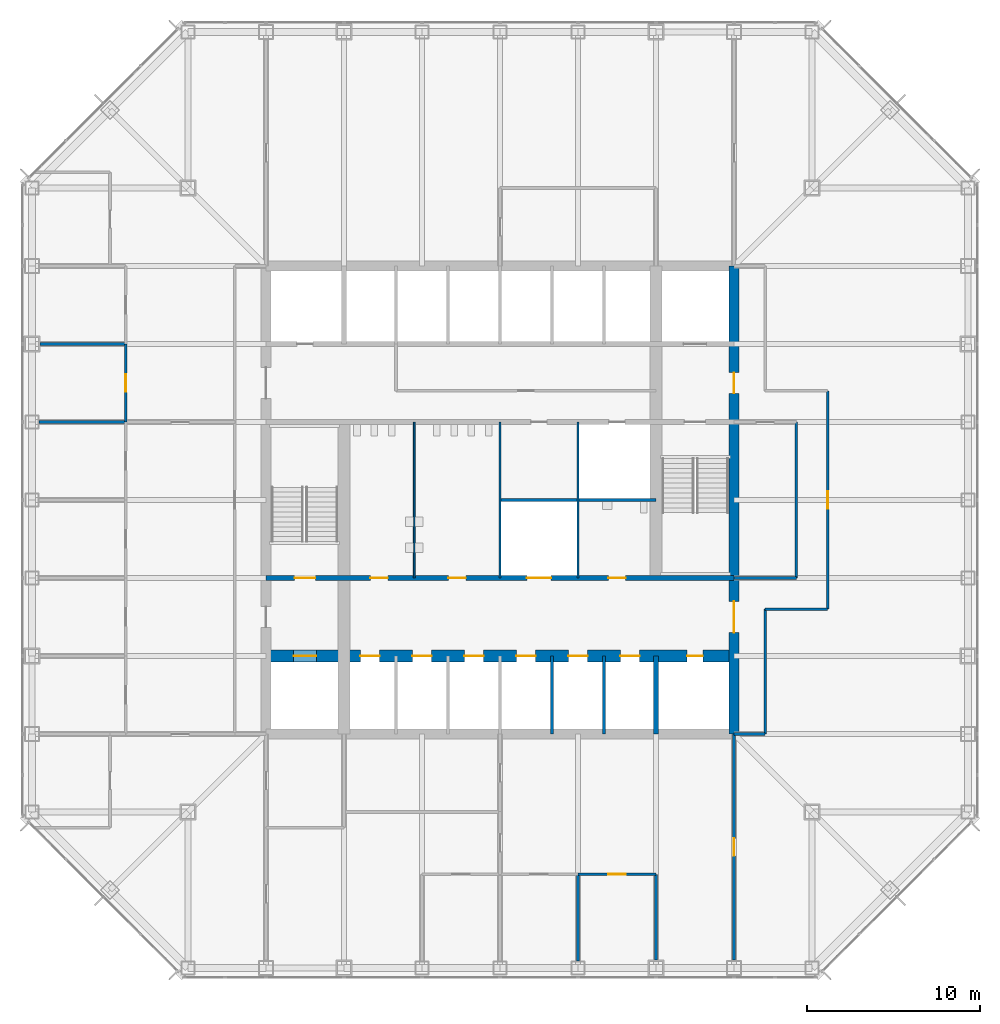
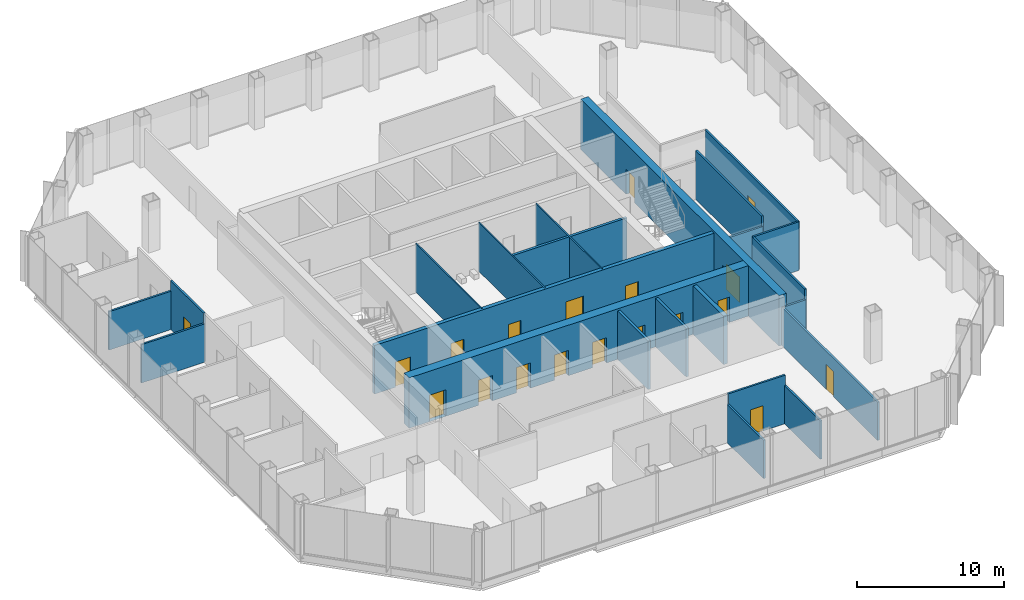
# One storey, part 9 of 12: 23 walls, 19 doors, 19 openings.
"""IFC4 building model written with IfcOpenShell, lengths in metres."""

from ifc_helpers import new_model, si_unit, direction, frame, frame_2d, origin, place, context, subcontext, project, spatial, rectangle, extrude, material, layer, layer_set, type_object, element, fill, save


model = new_model("IFC4")

# Units and contexts
model_context = context("Model", 3, precision=1e-05, world=origin(), true_north=direction((0.0, 1.0)))
body_context = subcontext(model_context, "Body", "Model", "MODEL_VIEW")
ifc_project = project(units=[si_unit("LENGTHUNIT", "METRE"), si_unit("AREAUNIT", "SQUARE_METRE"), si_unit("VOLUMEUNIT", "CUBIC_METRE"), si_unit("PLANEANGLEUNIT", "RADIAN"), si_unit("MASSUNIT", "GRAM", prefix="KILO")], contexts=[model_context])

# Site, building, storey
site_placement = place(None, origin())
site = spatial("IfcSite", under=ifc_project, at=site_placement, CompositionType="ELEMENT")
building_placement = place(site_placement, origin())
building = spatial("IfcBuilding", under=site, at=building_placement, Name="Corais Broadcast Tower", CompositionType="ELEMENT")
storey_placement = place(building_placement, frame((0.0, 0.0, 92.0)))
storey = spatial("IfcBuildingStorey", under=building, at=storey_placement, Name="L20", CompositionType="ELEMENT", Elevation=92.0)

# Wall
ifc_material_1 = material(Name="Concrete blockwork class A, grouted, two-hour", Category="masonry")
ifc_layer_1 = layer(ifc_material_1, 0.300048828125)
ifc_layer_set_1 = layer_set([ifc_layer_1], Name="Concrete blockwork class A, grouted, two-hour")
wall_type_1 = type_object("IfcWallType", Name="Core lobby wall 300", PredefinedType="SOLIDWALL", material=ifc_layer_set_1)
wall_1_placement = place(storey_placement, frame((36.0, 13.5, 0.0), z_axis=(0.0, 0.0, 1.0), x_axis=(0.0, 1.0, 0.0)))
element("IfcWall", 1, at=wall_1_placement, inside=storey, type_object=wall_type_1, Name="CL1 core shaft wall X36A L20", PredefinedType="SOLIDWALL", context=body_context, shape_type="SweptSolid", body=[
    extrude(rectangle(XDim=4.5, YDim=0.300048828125, at=frame_2d((2.25, 0.0))), origin(), (0.0, 0.0, 1.0), 4.0400390625),
])

# Wall, openings, doors
wall_2_placement = place(storey_placement, frame((13.5, 22.5, 0.0), z_axis=(0.0, 0.0, 1.0), x_axis=(1.0, 0.0, 0.0)))
wall_2 = element("IfcWall", 2, at=wall_2_placement, inside=storey, type_object=wall_type_1, Name="CL1 core lobby wall Y225 L20", PredefinedType="SOLIDWALL", context=body_context, shape_type="SweptSolid", body=[
    extrude(rectangle(XDim=27.0, YDim=0.300048828125, at=frame_2d((13.5, 0.0))), origin(), (0.0, 0.0, 1.0), 4.0400390625),
])
opening_1_placement = place(wall_2_placement, frame((1.64990234375, 0.0, 0.0)))
opening_1 = element("IfcOpeningElement", 3, at=opening_1_placement, cuts=wall_2, Name="Opening FD1", PredefinedType="OPENING", context=body_context, shape_type="SweptSolid", body=[
    extrude(rectangle(XDim=1.199951171875, YDim=2.10009765625, at=frame_2d((0.60009765625, 1.050048828125))), frame((0.0, 0.159912109375, 0.0), z_axis=(0.0, -1.0, 0.0), x_axis=(1.0, 0.0, 0.0)), (0.0, 0.0, 1.0), 0.320068359375),
])
opening_2_placement = place(wall_2_placement, frame((6.02490234375, 0.0, 0.0)))
opening_2 = element("IfcOpeningElement", 4, at=opening_2_placement, cuts=wall_2, Name="Opening WD1", PredefinedType="OPENING", context=body_context, shape_type="SweptSolid", body=[
    extrude(rectangle(XDim=1.0, YDim=2.10009765625, at=frame_2d((0.5, 1.050048828125))), frame((0.0, 0.159912109375, 0.0), z_axis=(0.0, -1.0, 0.0), x_axis=(1.0, 0.0, 0.0)), (0.0, 0.0, 1.0), 0.320068359375),
])
opening_3_placement = place(wall_2_placement, frame((10.52490234375, 0.0, 0.0)))
opening_3 = element("IfcOpeningElement", 5, at=opening_3_placement, cuts=wall_2, Name="Opening WD1", PredefinedType="OPENING", context=body_context, shape_type="SweptSolid", body=[
    extrude(rectangle(XDim=1.0, YDim=2.10009765625, at=frame_2d((0.5, 1.050048828125))), frame((0.0, 0.159912109375, 0.0), z_axis=(0.0, -1.0, 0.0), x_axis=(1.0, 0.0, 0.0)), (0.0, 0.0, 1.0), 0.320068359375),
])
opening_4_placement = place(wall_2_placement, frame((19.75, 0.0, 0.0)))
opening_4 = element("IfcOpeningElement", 6, at=opening_4_placement, cuts=wall_2, Name="Opening WD1", PredefinedType="OPENING", context=body_context, shape_type="SweptSolid", body=[
    extrude(rectangle(XDim=1.0, YDim=2.10009765625, at=frame_2d((0.5, 1.050048828125))), frame((0.0, 0.159912109375, 0.0), z_axis=(0.0, -1.0, 0.0), x_axis=(1.0, 0.0, 0.0)), (0.0, 0.0, 1.0), 0.320068359375),
])
opening_5_placement = place(wall_2_placement, frame((15.050048828125, 0.0, 0.0)))
opening_5 = element("IfcOpeningElement", 7, at=opening_5_placement, cuts=wall_2, Name="Opening LD3", PredefinedType="OPENING", context=body_context, shape_type="SweptSolid", body=[
    extrude(rectangle(XDim=1.39990234375, YDim=2.39990234375, at=frame_2d((0.699951171875, 1.199951171875))), frame((0.0, 0.159912109375, 0.0), z_axis=(0.0, -1.0, 0.0), x_axis=(1.0, 0.0, 0.0)), (0.0, 0.0, 1.0), 0.320068359375),
])
ifc_material_2 = material(Name="Steel fire door", Category="steel")
door_type_1 = type_object("IfcDoorType", Name="Fire door 1200x2100", OperationType="SINGLE_SWING_LEFT", PredefinedType="DOOR", material=ifc_material_2)
door_1_placement = place(opening_1_placement, origin())
door_1 = element("IfcDoor", 8, at=door_1_placement, inside=storey, type_object=door_type_1, Name="FD1 stair A door L20", OperationType="SINGLE_SWING_LEFT", OverallHeight=2.10009765625, OverallWidth=1.199951171875, PredefinedType="DOOR", context=body_context, shape_type="SweptSolid", body=[
    extrude(rectangle(XDim=1.199951171875, YDim=2.10009765625, at=frame_2d((0.60009765625, 1.050048828125))), frame((0.0, 0.02490234375, 0.0), z_axis=(0.0, -1.0, 0.0), x_axis=(1.0, 0.0, 0.0)), (0.0, 0.0, 1.0), 0.050048828125),
])
fill(opening_1, door_1)
ifc_material_3 = material(Name="Stainless steel lift door", Category="steel")
door_type_2 = type_object("IfcDoorType", Name="Service lift landing door 1400x2400", OperationType="SLIDING_TO_LEFT", PredefinedType="DOOR", material=ifc_material_3)
door_2_placement = place(opening_5_placement, origin())
door_2 = element("IfcDoor", 9, at=door_2_placement, inside=storey, type_object=door_type_2, Name="LD3 SL1 landing door L20", OperationType="SLIDING_TO_LEFT", OverallHeight=2.39990234375, OverallWidth=1.39990234375, PredefinedType="DOOR", context=body_context, shape_type="SweptSolid", body=[
    extrude(rectangle(XDim=1.39990234375, YDim=2.39990234375, at=frame_2d((0.699951171875, 1.199951171875))), frame((0.0, 0.02490234375, 0.0), z_axis=(0.0, -1.0, 0.0), x_axis=(1.0, 0.0, 0.0)), (0.0, 0.0, 1.0), 0.050048828125),
])
fill(opening_5, door_2)
ifc_material_4 = material(Name="Timber door", Category="wood")
door_type_3 = type_object("IfcDoorType", Name="Toilet door 1000x2100", OperationType="SINGLE_SWING_LEFT", PredefinedType="DOOR", material=ifc_material_4)
door_3_placement = place(opening_2_placement, origin())
door_3 = element("IfcDoor", 10, at=door_3_placement, inside=storey, type_object=door_type_3, Name="WD1 WC male door L20", OperationType="SINGLE_SWING_LEFT", OverallHeight=2.10009765625, OverallWidth=1.0, PredefinedType="DOOR", context=body_context, shape_type="SweptSolid", body=[
    extrude(rectangle(XDim=1.0, YDim=2.10009765625, at=frame_2d((0.5, 1.050048828125))), frame((0.0, 0.02490234375, 0.0), z_axis=(0.0, -1.0, 0.0), x_axis=(1.0, 0.0, 0.0)), (0.0, 0.0, 1.0), 0.050048828125),
])
fill(opening_2, door_3)
door_4_placement = place(opening_3_placement, origin())
door_4 = element("IfcDoor", 11, at=door_4_placement, inside=storey, type_object=door_type_3, Name="WD1 WC female door L20", OperationType="SINGLE_SWING_LEFT", OverallHeight=2.10009765625, OverallWidth=1.0, PredefinedType="DOOR", context=body_context, shape_type="SweptSolid", body=[
    extrude(rectangle(XDim=1.0, YDim=2.10009765625, at=frame_2d((0.5, 1.050048828125))), frame((0.0, 0.02490234375, 0.0), z_axis=(0.0, -1.0, 0.0), x_axis=(1.0, 0.0, 0.0)), (0.0, 0.0, 1.0), 0.050048828125),
])
fill(opening_3, door_4)
door_5_placement = place(opening_4_placement, origin())
door_5 = element("IfcDoor", 12, at=door_5_placement, inside=storey, type_object=door_type_3, Name="WD1 accessible WC door L20", OperationType="SINGLE_SWING_RIGHT", OverallHeight=2.10009765625, OverallWidth=1.0, PredefinedType="DOOR", context=body_context, shape_type="SweptSolid", body=[
    extrude(rectangle(XDim=1.0, YDim=2.10009765625, at=frame_2d((0.5, 1.050048828125))), frame((0.0, 0.02490234375, 0.0), z_axis=(0.0, -1.0, 0.0), x_axis=(1.0, 0.0, 0.0)), (0.0, 0.0, 1.0), 0.050048828125),
])
fill(opening_4, door_5)

ifc_material_5 = material(Name="Concrete C50/60", Category="concrete")
ifc_layer_2 = layer(ifc_material_5, 0.699951171875)
ifc_layer_set_2 = layer_set([ifc_layer_2], Name="Concrete C50/60")
wall_type_2 = type_object("IfcWallType", Name="Core spine wall 700", PredefinedType="SHEAR", material=ifc_layer_set_2)
wall_3_placement = place(storey_placement, frame((13.5, 18.0, 0.0), z_axis=(0.0, 0.0, 1.0), x_axis=(1.0, 0.0, 0.0)))
wall_3 = element("IfcWall", 13, at=wall_3_placement, inside=storey, type_object=wall_type_2, Name="CR700 core wall Y18 L20", PredefinedType="SHEAR", context=body_context, shape_type="SweptSolid", body=[
    extrude(rectangle(XDim=27.0, YDim=0.699951171875, at=frame_2d((13.5, 0.0))), origin(), (0.0, 0.0, 1.0), 4.199951171875),
])
opening_6_placement = place(wall_3_placement, frame((24.300048828125, 0.0, 0.0)))
opening_6 = element("IfcOpeningElement", 14, at=opening_6_placement, cuts=wall_3, Name="Opening RD1", PredefinedType="OPENING", context=body_context, shape_type="SweptSolid", body=[
    extrude(rectangle(XDim=0.89990234375, YDim=2.10009765625, at=frame_2d((0.449951171875, 1.050048828125))), frame((0.0, 0.35986328125, 0.0), z_axis=(0.0, -1.0, 0.0), x_axis=(1.0, 0.0, 0.0)), (0.0, 0.0, 1.0), 0.719970703125),
])
opening_7_placement = place(wall_3_placement, frame((5.449951171875, 0.0, 0.0)))
opening_7 = element("IfcOpeningElement", 15, at=opening_7_placement, cuts=wall_3, Name="Opening LD1", PredefinedType="OPENING", context=body_context, shape_type="SweptSolid", body=[
    extrude(rectangle(XDim=1.10009765625, YDim=2.10009765625, at=frame_2d((0.550048828125, 1.050048828125))), frame((0.0, 0.35986328125, 0.0), z_axis=(0.0, -1.0, 0.0), x_axis=(1.0, 0.0, 0.0)), (0.0, 0.0, 1.0), 0.719970703125),
])
opening_8_placement = place(wall_3_placement, frame((8.449951171875, 0.0, 0.0)))
opening_8 = element("IfcOpeningElement", 16, at=opening_8_placement, cuts=wall_3, Name="Opening LD1", PredefinedType="OPENING", context=body_context, shape_type="SweptSolid", body=[
    extrude(rectangle(XDim=1.10009765625, YDim=2.10009765625, at=frame_2d((0.550048828125, 1.050048828125))), frame((0.0, 0.35986328125, 0.0), z_axis=(0.0, -1.0, 0.0), x_axis=(1.0, 0.0, 0.0)), (0.0, 0.0, 1.0), 0.719970703125),
])
opening_9_placement = place(wall_3_placement, frame((11.449951171875, 0.0, 0.0)))
opening_9 = element("IfcOpeningElement", 17, at=opening_9_placement, cuts=wall_3, Name="Opening LD1", PredefinedType="OPENING", context=body_context, shape_type="SweptSolid", body=[
    extrude(rectangle(XDim=1.10009765625, YDim=2.10009765625, at=frame_2d((0.550048828125, 1.050048828125))), frame((0.0, 0.35986328125, 0.0), z_axis=(0.0, -1.0, 0.0), x_axis=(1.0, 0.0, 0.0)), (0.0, 0.0, 1.0), 0.719970703125),
])
opening_10_placement = place(wall_3_placement, frame((14.449951171875, 0.0, 0.0)))
opening_10 = element("IfcOpeningElement", 18, at=opening_10_placement, cuts=wall_3, Name="Opening LD1", PredefinedType="OPENING", context=body_context, shape_type="SweptSolid", body=[
    extrude(rectangle(XDim=1.10009765625, YDim=2.10009765625, at=frame_2d((0.550048828125, 1.050048828125))), frame((0.0, 0.35986328125, 0.0), z_axis=(0.0, -1.0, 0.0), x_axis=(1.0, 0.0, 0.0)), (0.0, 0.0, 1.0), 0.719970703125),
])
opening_11_placement = place(wall_3_placement, frame((17.449951171875, 0.0, 0.0)))
opening_11 = element("IfcOpeningElement", 19, at=opening_11_placement, cuts=wall_3, Name="Opening LD1", PredefinedType="OPENING", context=body_context, shape_type="SweptSolid", body=[
    extrude(rectangle(XDim=1.10009765625, YDim=2.10009765625, at=frame_2d((0.550048828125, 1.050048828125))), frame((0.0, 0.35986328125, 0.0), z_axis=(0.0, -1.0, 0.0), x_axis=(1.0, 0.0, 0.0)), (0.0, 0.0, 1.0), 0.719970703125),
])
opening_12_placement = place(wall_3_placement, frame((20.449951171875, 0.0, 0.0)))
opening_12 = element("IfcOpeningElement", 20, at=opening_12_placement, cuts=wall_3, Name="Opening LD1", PredefinedType="OPENING", context=body_context, shape_type="SweptSolid", body=[
    extrude(rectangle(XDim=1.10009765625, YDim=2.10009765625, at=frame_2d((0.550048828125, 1.050048828125))), frame((0.0, 0.35986328125, 0.0), z_axis=(0.0, -1.0, 0.0), x_axis=(1.0, 0.0, 0.0)), (0.0, 0.0, 1.0), 0.719970703125),
])
opening_13_placement = place(wall_3_placement, frame((1.60009765625, 0.0, 0.0)))
opening_13 = element("IfcOpeningElement", 21, at=opening_13_placement, cuts=wall_3, Name="Opening LD2", PredefinedType="OPENING", context=body_context, shape_type="SweptSolid", body=[
    extrude(rectangle(XDim=1.300048828125, YDim=2.199951171875, at=frame_2d((0.64990234375, 1.10009765625))), frame((0.0, 0.35986328125, 0.0), z_axis=(0.0, -1.0, 0.0), x_axis=(1.0, 0.0, 0.0)), (0.0, 0.0, 1.0), 0.719970703125),
])
ifc_material_6 = material(Name="Stainless steel lift door", Category="steel")
door_type_4 = type_object("IfcDoorType", Name="Lift landing door 1100x2100", OperationType="SLIDING_TO_LEFT", PredefinedType="DOOR", material=ifc_material_6)
door_6_placement = place(opening_7_placement, origin())
door_6 = element("IfcDoor", 22, at=door_6_placement, inside=storey, type_object=door_type_4, Name="LD1 PL1 landing door L20", OperationType="SLIDING_TO_LEFT", OverallHeight=2.10009765625, OverallWidth=1.10009765625, PredefinedType="DOOR", context=body_context, shape_type="SweptSolid", body=[
    extrude(rectangle(XDim=1.10009765625, YDim=2.10009765625, at=frame_2d((0.550048828125, 1.050048828125))), frame((0.0, 0.02490234375, 0.0), z_axis=(0.0, -1.0, 0.0), x_axis=(1.0, 0.0, 0.0)), (0.0, 0.0, 1.0), 0.050048828125),
])
fill(opening_7, door_6)
door_7_placement = place(opening_8_placement, origin())
door_7 = element("IfcDoor", 23, at=door_7_placement, inside=storey, type_object=door_type_4, Name="LD1 PL2 landing door L20", OperationType="SLIDING_TO_LEFT", OverallHeight=2.10009765625, OverallWidth=1.10009765625, PredefinedType="DOOR", context=body_context, shape_type="SweptSolid", body=[
    extrude(rectangle(XDim=1.10009765625, YDim=2.10009765625, at=frame_2d((0.550048828125, 1.050048828125))), frame((0.0, 0.02490234375, 0.0), z_axis=(0.0, -1.0, 0.0), x_axis=(1.0, 0.0, 0.0)), (0.0, 0.0, 1.0), 0.050048828125),
])
fill(opening_8, door_7)
door_8_placement = place(opening_9_placement, origin())
door_8 = element("IfcDoor", 24, at=door_8_placement, inside=storey, type_object=door_type_4, Name="LD1 PL3 landing door L20", OperationType="SLIDING_TO_LEFT", OverallHeight=2.10009765625, OverallWidth=1.10009765625, PredefinedType="DOOR", context=body_context, shape_type="SweptSolid", body=[
    extrude(rectangle(XDim=1.10009765625, YDim=2.10009765625, at=frame_2d((0.550048828125, 1.050048828125))), frame((0.0, 0.02490234375, 0.0), z_axis=(0.0, -1.0, 0.0), x_axis=(1.0, 0.0, 0.0)), (0.0, 0.0, 1.0), 0.050048828125),
])
fill(opening_9, door_8)
door_9_placement = place(opening_10_placement, origin())
door_9 = element("IfcDoor", 25, at=door_9_placement, inside=storey, type_object=door_type_4, Name="LD1 PL4 landing door L20", OperationType="SLIDING_TO_LEFT", OverallHeight=2.10009765625, OverallWidth=1.10009765625, PredefinedType="DOOR", context=body_context, shape_type="SweptSolid", body=[
    extrude(rectangle(XDim=1.10009765625, YDim=2.10009765625, at=frame_2d((0.550048828125, 1.050048828125))), frame((0.0, 0.02490234375, 0.0), z_axis=(0.0, -1.0, 0.0), x_axis=(1.0, 0.0, 0.0)), (0.0, 0.0, 1.0), 0.050048828125),
])
fill(opening_10, door_9)
door_10_placement = place(opening_11_placement, origin())
door_10 = element("IfcDoor", 26, at=door_10_placement, inside=storey, type_object=door_type_4, Name="LD1 PL5 landing door L20", OperationType="SLIDING_TO_LEFT", OverallHeight=2.10009765625, OverallWidth=1.10009765625, PredefinedType="DOOR", context=body_context, shape_type="SweptSolid", body=[
    extrude(rectangle(XDim=1.10009765625, YDim=2.10009765625, at=frame_2d((0.550048828125, 1.050048828125))), frame((0.0, 0.02490234375, 0.0), z_axis=(0.0, -1.0, 0.0), x_axis=(1.0, 0.0, 0.0)), (0.0, 0.0, 1.0), 0.050048828125),
])
fill(opening_11, door_10)
door_11_placement = place(opening_12_placement, origin())
door_11 = element("IfcDoor", 27, at=door_11_placement, inside=storey, type_object=door_type_4, Name="LD1 PL6 landing door L20", OperationType="SLIDING_TO_LEFT", OverallHeight=2.10009765625, OverallWidth=1.10009765625, PredefinedType="DOOR", context=body_context, shape_type="SweptSolid", body=[
    extrude(rectangle(XDim=1.10009765625, YDim=2.10009765625, at=frame_2d((0.550048828125, 1.050048828125))), frame((0.0, 0.02490234375, 0.0), z_axis=(0.0, -1.0, 0.0), x_axis=(1.0, 0.0, 0.0)), (0.0, 0.0, 1.0), 0.050048828125),
])
fill(opening_12, door_11)
ifc_material_7 = material(Name="Stainless steel lift door", Category="steel")
door_type_5 = type_object("IfcDoorType", Name="Lift landing door 1300x2200", OperationType="SLIDING_TO_LEFT", PredefinedType="DOOR", material=ifc_material_7)
door_12_placement = place(opening_13_placement, origin())
door_12 = element("IfcDoor", 28, at=door_12_placement, inside=storey, type_object=door_type_5, Name="LD2 FL1 landing door L20", OperationType="SLIDING_TO_LEFT", OverallHeight=2.199951171875, OverallWidth=1.300048828125, PredefinedType="DOOR", context=body_context, shape_type="SweptSolid", body=[
    extrude(rectangle(XDim=1.300048828125, YDim=2.199951171875, at=frame_2d((0.64990234375, 1.10009765625))), frame((0.0, 0.02490234375, 0.0), z_axis=(0.0, -1.0, 0.0), x_axis=(1.0, 0.0, 0.0)), (0.0, 0.0, 1.0), 0.050048828125),
])
fill(opening_13, door_12)
ifc_material_8 = material(Name="Steel fire door", Category="steel")
door_type_6 = type_object("IfcDoorType", Name="Riser door 900x2100", OperationType="SINGLE_SWING_LEFT", PredefinedType="DOOR", material=ifc_material_8)
door_13_placement = place(opening_6_placement, origin())
door_13 = element("IfcDoor", 29, at=door_13_placement, inside=storey, type_object=door_type_6, Name="RD1 riser door L20", OperationType="SINGLE_SWING_RIGHT", OverallHeight=2.10009765625, OverallWidth=0.89990234375, PredefinedType="DOOR", context=body_context, shape_type="SweptSolid", body=[
    extrude(rectangle(XDim=0.89990234375, YDim=2.10009765625, at=frame_2d((0.449951171875, 1.050048828125))), frame((0.0, 0.02490234375, 0.0), z_axis=(0.0, -1.0, 0.0), x_axis=(1.0, 0.0, 0.0)), (0.0, 0.0, 1.0), 0.050048828125),
])
fill(opening_6, door_13)

ifc_material_9 = material(Name="Concrete C50/60", Category="concrete")
ifc_layer_3 = layer(ifc_material_9, 0.60009765625)
ifc_layer_set_3 = layer_set([ifc_layer_3], Name="Concrete C50/60")
wall_type_3 = type_object("IfcWallType", Name="Core wall 600", PredefinedType="SHEAR", material=ifc_layer_set_3)
wall_4_placement = place(storey_placement, frame((40.5, 13.5, 0.0), z_axis=(0.0, 0.0, 1.0), x_axis=(0.0, 1.0, 0.0)))
wall_4 = element("IfcWall", 30, at=wall_4_placement, inside=storey, type_object=wall_type_3, Name="CR600 core wall E L20", PredefinedType="SHEAR", context=body_context, shape_type="SweptSolid", body=[
    extrude(rectangle(XDim=27.0, YDim=0.60009765625, at=frame_2d((13.5, 0.0))), origin(), (0.0, 0.0, 1.0), 4.199951171875),
])
opening_14_placement = place(wall_4_placement, frame((5.85009765625, 0.0, 0.0)))
opening_14 = element("IfcOpeningElement", 31, at=opening_14_placement, cuts=wall_4, Name="Opening FD2", PredefinedType="OPENING", context=body_context, shape_type="SweptSolid", body=[
    extrude(rectangle(XDim=1.800048828125, YDim=2.10009765625, at=frame_2d((0.89990234375, 1.050048828125))), frame((0.0, 0.31005859375, 0.0), z_axis=(0.0, -1.0, 0.0), x_axis=(1.0, 0.0, 0.0)), (0.0, 0.0, 1.0), 0.6201171875),
])
opening_15_placement = place(wall_4_placement, frame((19.64990234375, 0.0, 0.0)))
opening_15 = element("IfcOpeningElement", 32, at=opening_15_placement, cuts=wall_4, Name="Opening FD1", PredefinedType="OPENING", context=body_context, shape_type="SweptSolid", body=[
    extrude(rectangle(XDim=1.199951171875, YDim=2.10009765625, at=frame_2d((0.60009765625, 1.050048828125))), frame((0.0, 0.31005859375, 0.0), z_axis=(0.0, -1.0, 0.0), x_axis=(1.0, 0.0, 0.0)), (0.0, 0.0, 1.0), 0.6201171875),
])
door_14_placement = place(opening_15_placement, origin())
door_14 = element("IfcDoor", 33, at=door_14_placement, inside=storey, type_object=door_type_1, Name="FD1 fire lobby B door L20", OperationType="SINGLE_SWING_RIGHT", OverallHeight=2.10009765625, OverallWidth=1.199951171875, PredefinedType="DOOR", context=body_context, shape_type="SweptSolid", body=[
    extrude(rectangle(XDim=1.199951171875, YDim=2.10009765625, at=frame_2d((0.60009765625, 1.050048828125))), frame((0.0, 0.02490234375, 0.0), z_axis=(0.0, -1.0, 0.0), x_axis=(1.0, 0.0, 0.0)), (0.0, 0.0, 1.0), 0.050048828125),
])
fill(opening_15, door_14)
ifc_material_10 = material(Name="Steel fire door", Category="steel")
door_type_7 = type_object("IfcDoorType", Name="Fire door pair 1800x2100", OperationType="DOUBLE_DOOR_SINGLE_SWING", PredefinedType="DOOR", material=ifc_material_10)
door_15_placement = place(opening_14_placement, origin())
door_15 = element("IfcDoor", 34, at=door_15_placement, inside=storey, type_object=door_type_7, Name="FD2 lift lobby door L20", OperationType="SINGLE_SWING_LEFT", OverallHeight=2.10009765625, OverallWidth=1.800048828125, PredefinedType="DOOR", context=body_context, shape_type="SweptSolid", body=[
    extrude(rectangle(XDim=1.800048828125, YDim=2.10009765625, at=frame_2d((0.89990234375, 1.050048828125))), frame((0.0, 0.02490234375, 0.0), z_axis=(0.0, -1.0, 0.0), x_axis=(1.0, 0.0, 0.0)), (0.0, 0.0, 1.0), 0.050048828125),
])
fill(opening_14, door_15)

# Wall, opening, door
ifc_material_11 = material(Name="Gypsum board on steel studs", Category="steel")
ifc_layer_4 = layer(ifc_material_11, 0.14990234375)
ifc_layer_set_4 = layer_set([ifc_layer_4], Name="Gypsum board on steel studs")
wall_type_4 = type_object("IfcWallType", Name="Partition 150", PredefinedType="PARTITIONING", material=ifc_layer_set_4)
wall_5_placement = place(storey_placement, frame((45.89990234375, 20.699951171875, 0.0), z_axis=(0.0, 0.0, 1.0), x_axis=(0.0, 1.0, 0.0)))
wall_5 = element("IfcWall", 35, at=wall_5_placement, inside=storey, type_object=wall_type_4, Name="IW3 corridor wall L20", PredefinedType="PARTITIONING", context=body_context, shape_type="SweptSolid", body=[
    extrude(rectangle(XDim=12.60009765625, YDim=0.14990234375, at=frame_2d((6.300048828125, 0.0))), origin(), (0.0, 0.0, 1.0), 4.0400390625),
])
opening_16_placement = place(wall_5_placement, frame((5.800048828125, 0.0, 0.0)))
opening_16 = element("IfcOpeningElement", 36, at=opening_16_placement, cuts=wall_5, Name="Opening D1", PredefinedType="OPENING", context=body_context, shape_type="SweptSolid", body=[
    extrude(rectangle(XDim=1.0, YDim=2.10009765625, at=frame_2d((0.5, 1.050048828125))), frame((0.0, 0.0849609375, 0.0), z_axis=(0.0, -1.0, 0.0), x_axis=(1.0, 0.0, 0.0)), (0.0, 0.0, 1.0), 0.169921875),
])
ifc_material_12 = material(Name="Timber door", Category="wood")
door_type_8 = type_object("IfcDoorType", Name="Single door 1000x2100", OperationType="SINGLE_SWING_LEFT", PredefinedType="DOOR", material=ifc_material_12)
door_16_placement = place(opening_16_placement, origin())
door_16 = element("IfcDoor", 37, at=door_16_placement, inside=storey, type_object=door_type_8, Name="D1 workplace door L20", OperationType="SINGLE_SWING_LEFT", OverallHeight=2.10009765625, OverallWidth=1.0, PredefinedType="DOOR", context=body_context, shape_type="SweptSolid", body=[
    extrude(rectangle(XDim=1.0, YDim=2.10009765625, at=frame_2d((0.5, 1.050048828125))), frame((0.0, 0.02490234375, 0.0), z_axis=(0.0, -1.0, 0.0), x_axis=(1.0, 0.0, 0.0)), (0.0, 0.0, 1.0), 0.050048828125),
])
fill(opening_16, door_16)

# Walls
wall_6_placement = place(storey_placement, frame((42.300048828125, 13.5, 0.0), z_axis=(0.0, 0.0, 1.0), x_axis=(0.0, 1.0, 0.0)))
element("IfcWall", 38, at=wall_6_placement, inside=storey, type_object=wall_type_4, Name="IW3 corridor wall L20", PredefinedType="PARTITIONING", context=body_context, shape_type="SweptSolid", body=[
    extrude(rectangle(XDim=7.199951171875, YDim=0.14990234375, at=frame_2d((3.60009765625, 0.0))), origin(), (0.0, 0.0, 1.0), 4.0400390625),
])
wall_7_placement = place(storey_placement, frame((42.300048828125, 20.699951171875, 0.0), z_axis=(0.0, 0.0, 1.0), x_axis=(1.0, 0.0, 0.0)))
element("IfcWall", 39, at=wall_7_placement, inside=storey, type_object=wall_type_4, Name="IW3 corridor wall L20", PredefinedType="PARTITIONING", context=body_context, shape_type="SweptSolid", body=[
    extrude(rectangle(XDim=3.599853515625, YDim=0.14990234375, at=frame_2d((1.7998046875, 0.0))), origin(), (0.0, 0.0, 1.0), 4.0400390625),
])
wall_8_placement = place(storey_placement, frame((40.489990234375, 13.5, 0.0), z_axis=(0.0, 0.0, 1.0), x_axis=(1.0, 0.0, 0.0)))
element("IfcWall", 40, at=wall_8_placement, inside=storey, type_object=wall_type_4, Name="IW3 corridor wall L20", PredefinedType="PARTITIONING", context=body_context, shape_type="SweptSolid", body=[
    extrude(rectangle(XDim=1.81005859375, YDim=0.14990234375, at=frame_2d((0.905029296875, 0.0))), origin(), (0.0, 0.0, 1.0), 3.18896484375),
])
wall_9_placement = place(storey_placement, frame((5.39990234375, 31.5, 0.0), z_axis=(0.0, 0.0, 1.0), x_axis=(-1.0, 0.0, 0.0)))
element("IfcWall", 41, at=wall_9_placement, inside=storey, type_object=wall_type_4, Name="IW3 partition L20", PredefinedType="PARTITIONING", context=body_context, shape_type="SweptSolid", body=[
    extrude(rectangle(XDim=4.989990234375, YDim=0.14990234375, at=frame_2d((2.4951171875, 0.0))), origin(), (0.0, 0.0, 1.0), 3.18896484375),
])

# Wall, opening, door
wall_10_placement = place(storey_placement, frame((5.39990234375, 31.5, 0.0), z_axis=(0.0, 0.0, 1.0), x_axis=(0.0, 1.0, 0.0)))
wall_10 = element("IfcWall", 42, at=wall_10_placement, inside=storey, type_object=wall_type_4, Name="IW3 partition L20", PredefinedType="PARTITIONING", context=body_context, shape_type="SweptSolid", body=[
    extrude(rectangle(XDim=4.5, YDim=0.14990234375, at=frame_2d((2.25, 0.0))), origin(), (0.0, 0.0, 1.0), 4.0400390625),
])
opening_17_placement = place(wall_10_placement, frame((1.75, 0.0, 0.0)))
opening_17 = element("IfcOpeningElement", 43, at=opening_17_placement, cuts=wall_10, Name="Opening D1", PredefinedType="OPENING", context=body_context, shape_type="SweptSolid", body=[
    extrude(rectangle(XDim=1.0, YDim=2.10009765625, at=frame_2d((0.5, 1.050048828125))), frame((0.0, 0.0849609375, 0.0), z_axis=(0.0, -1.0, 0.0), x_axis=(1.0, 0.0, 0.0)), (0.0, 0.0, 1.0), 0.169921875),
])
door_17_placement = place(opening_17_placement, origin())
door_17 = element("IfcDoor", 44, at=door_17_placement, inside=storey, type_object=door_type_8, Name="D1 Office door", OperationType="SINGLE_SWING_LEFT", OverallHeight=2.10009765625, OverallWidth=1.0, PredefinedType="DOOR", context=body_context, shape_type="SweptSolid", body=[
    extrude(rectangle(XDim=1.0, YDim=2.10009765625, at=frame_2d((0.5, 1.050048828125))), frame((0.0, 0.02490234375, 0.0), z_axis=(0.0, -1.0, 0.0), x_axis=(1.0, 0.0, 0.0)), (0.0, 0.0, 1.0), 0.050048828125),
])
fill(opening_17, door_17)

# Walls
wall_11_placement = place(storey_placement, frame((5.39990234375, 36.0, 0.0), z_axis=(0.0, 0.0, 1.0), x_axis=(-1.0, 0.0, 0.0)))
element("IfcWall", 45, at=wall_11_placement, inside=storey, type_object=wall_type_4, Name="IW3 partition L20", PredefinedType="PARTITIONING", context=body_context, shape_type="SweptSolid", body=[
    extrude(rectangle(XDim=4.93994140625, YDim=0.14990234375, at=frame_2d((2.469970703125, 0.0))), origin(), (0.0, 0.0, 1.0), 3.18896484375),
])
wall_12_placement = place(storey_placement, frame((31.5, 0.409912109375, 0.0), z_axis=(0.0, 0.0, 1.0), x_axis=(0.0, 1.0, 0.0)))
element("IfcWall", 46, at=wall_12_placement, inside=storey, type_object=wall_type_4, Name="IW3 partition L20", PredefinedType="PARTITIONING", context=body_context, shape_type="SweptSolid", body=[
    extrude(rectangle(XDim=4.989990234375, YDim=0.14990234375, at=frame_2d((2.4951171875, 0.0))), origin(), (0.0, 0.0, 1.0), 3.18896484375),
])
wall_13_placement = place(storey_placement, frame((36.0, 0.4599609375, 0.0), z_axis=(0.0, 0.0, 1.0), x_axis=(0.0, 1.0, 0.0)))
element("IfcWall", 47, at=wall_13_placement, inside=storey, type_object=wall_type_4, Name="IW3 partition L20", PredefinedType="PARTITIONING", context=body_context, shape_type="SweptSolid", body=[
    extrude(rectangle(XDim=4.93994140625, YDim=0.14990234375, at=frame_2d((2.469970703125, 0.0))), origin(), (0.0, 0.0, 1.0), 3.18896484375),
])

# Wall, opening, door
wall_14_placement = place(storey_placement, frame((36.0, 5.39990234375, 0.0), z_axis=(0.0, 0.0, 1.0), x_axis=(-1.0, 0.0, 0.0)))
wall_14 = element("IfcWall", 48, at=wall_14_placement, inside=storey, type_object=wall_type_4, Name="IW3 partition L20", PredefinedType="PARTITIONING", context=body_context, shape_type="SweptSolid", body=[
    extrude(rectangle(XDim=4.5, YDim=0.14990234375, at=frame_2d((2.25, 0.0))), origin(), (0.0, 0.0, 1.0), 4.0400390625),
])
opening_18_placement = place(wall_14_placement, frame((1.75, 0.0, 0.0)))
opening_18 = element("IfcOpeningElement", 49, at=opening_18_placement, cuts=wall_14, Name="Opening D1", PredefinedType="OPENING", context=body_context, shape_type="SweptSolid", body=[
    extrude(rectangle(XDim=1.0, YDim=2.10009765625, at=frame_2d((0.5, 1.050048828125))), frame((0.0, 0.0849609375, 0.0), z_axis=(0.0, -1.0, 0.0), x_axis=(1.0, 0.0, 0.0)), (0.0, 0.0, 1.0), 0.169921875),
])
door_18_placement = place(opening_18_placement, origin())
door_18 = element("IfcDoor", 50, at=door_18_placement, inside=storey, type_object=door_type_8, Name="D1 Interview room door", OperationType="SINGLE_SWING_LEFT", OverallHeight=2.10009765625, OverallWidth=1.0, PredefinedType="DOOR", context=body_context, shape_type="SweptSolid", body=[
    extrude(rectangle(XDim=1.0, YDim=2.10009765625, at=frame_2d((0.5, 1.050048828125))), frame((0.0, 0.02490234375, 0.0), z_axis=(0.0, -1.0, 0.0), x_axis=(1.0, 0.0, 0.0)), (0.0, 0.0, 1.0), 0.050048828125),
])
fill(opening_18, door_18)

# Walls
wall_15_placement = place(storey_placement, frame((40.5, 22.5, 0.0), z_axis=(0.0, 0.0, 1.0), x_axis=(1.0, 0.0, 0.0)))
element("IfcWall", 51, at=wall_15_placement, inside=storey, type_object=wall_type_4, Name="IW3 partition L20", PredefinedType="PARTITIONING", context=body_context, shape_type="SweptSolid", body=[
    extrude(rectangle(XDim=3.60009765625, YDim=0.14990234375, at=frame_2d((1.800048828125, 0.0))), origin(), (0.0, 0.0, 1.0), 3.18896484375),
])
wall_16_placement = place(storey_placement, frame((44.10009765625, 22.5, 0.0), z_axis=(0.0, 0.0, 1.0), x_axis=(0.0, 1.0, 0.0)))
element("IfcWall", 52, at=wall_16_placement, inside=storey, type_object=wall_type_4, Name="IW3 partition L20", PredefinedType="PARTITIONING", context=body_context, shape_type="SweptSolid", body=[
    extrude(rectangle(XDim=9.0, YDim=0.14990234375, at=frame_2d((4.5, 0.0))), origin(), (0.0, 0.0, 1.0), 4.0400390625),
])

# Wall, opening, door
wall_17_placement = place(storey_placement, frame((40.5, 0.445068359375, 0.0), z_axis=(0.0, 0.0, 1.0), x_axis=(0.0, 1.0, 0.0)))
wall_17 = element("IfcWall", 53, at=wall_17_placement, inside=storey, type_object=wall_type_4, Name="IW3 partition L20", PredefinedType="PARTITIONING", context=body_context, shape_type="SweptSolid", body=[
    extrude(rectangle(XDim=13.054931640625, YDim=0.14990234375, at=frame_2d((6.52734375, 0.0))), origin(), (0.0, 0.0, 1.0), 3.18896484375),
])
opening_19_placement = place(wall_17_placement, frame((6.027587890625, 0.0, 0.0)))
opening_19 = element("IfcOpeningElement", 54, at=opening_19_placement, cuts=wall_17, Name="Opening D1", PredefinedType="OPENING", context=body_context, shape_type="SweptSolid", body=[
    extrude(rectangle(XDim=1.0, YDim=2.10009765625, at=frame_2d((0.5, 1.050048828125))), frame((0.0, 0.0849609375, 0.0), z_axis=(0.0, -1.0, 0.0), x_axis=(1.0, 0.0, 0.0)), (0.0, 0.0, 1.0), 0.169921875),
])
door_19_placement = place(opening_19_placement, origin())
door_19 = element("IfcDoor", 55, at=door_19_placement, inside=storey, type_object=door_type_8, Name="D1 team room door L20", OperationType="SINGLE_SWING_LEFT", OverallHeight=2.10009765625, OverallWidth=1.0, PredefinedType="DOOR", context=body_context, shape_type="SweptSolid", body=[
    extrude(rectangle(XDim=1.0, YDim=2.10009765625, at=frame_2d((0.5, 1.050048828125))), frame((0.0, 0.02490234375, 0.0), z_axis=(0.0, -1.0, 0.0), x_axis=(1.0, 0.0, 0.0)), (0.0, 0.0, 1.0), 0.050048828125),
])
fill(opening_19, door_19)

# Walls
ifc_material_13 = material(Name="Concrete blockwork class A, grouted, two-hour", Category="masonry")
ifc_layer_5 = layer(ifc_material_13, 0.199951171875)
ifc_layer_set_5 = layer_set([ifc_layer_5], Name="Concrete blockwork class A, grouted, two-hour")
wall_type_5 = type_object("IfcWallType", Name="Shaft wall 200", PredefinedType="PARTITIONING", material=ifc_layer_set_5)
for number, where, z_axis, x_axis, name in (
    (56, (30.0, 13.5, 0.0), (0.0, 0.0, 1.0), (0.0, 1.0, 0.0), "IW1 shaft wall L20"),
    (57, (33.0, 13.5, 0.0), (0.0, 0.0, 1.0), (0.0, 1.0, 0.0), "IW1 shaft wall L20"),
):
    element("IfcWall", number, at=place(storey_placement, frame(where, z_axis=z_axis, x_axis=x_axis)), inside=storey, type_object=wall_type_5, Name=name, PredefinedType="PARTITIONING", context=body_context, shape_type="SweptSolid", body=[
        extrude(rectangle(XDim=4.5, YDim=0.199951171875, at=frame_2d((2.25, 0.0))), origin(), (0.0, 0.0, 1.0), 4.0400390625),
    ])
wall_18_placement = place(storey_placement, frame((27.0, 27.0, 0.0), z_axis=(0.0, 0.0, 1.0), x_axis=(1.0, 0.0, 0.0)))
element("IfcWall", 58, at=wall_18_placement, inside=storey, type_object=wall_type_5, Name="IW1 shaft wall L20", PredefinedType="PARTITIONING", context=body_context, shape_type="SweptSolid", body=[
    extrude(rectangle(XDim=9.0, YDim=0.199951171875, at=frame_2d((4.5, 0.0))), origin(), (0.0, 0.0, 1.0), 4.0400390625),
])
ifc_material_14 = material(Name="Dense concrete blockwork class A, tiled both faces", Category="masonry")
ifc_layer_6 = layer(ifc_material_14, 0.10009765625)
ifc_layer_set_6 = layer_set([ifc_layer_6], Name="Dense concrete blockwork class A, tiled both faces")
wall_type_6 = type_object("IfcWallType", Name="Toilet wall 100", PredefinedType="PLUMBINGWALL", material=ifc_layer_set_6)
for number, where, z_axis, x_axis, name in (
    (59, (22.050048828125, 22.5, 0.0), (0.0, 0.0, 1.0), (0.0, 1.0, 0.0), "IW2 toilet wall L20"),
    (60, (27.0, 22.5, 0.0), (0.0, 0.0, 1.0), (0.0, 1.0, 0.0), "IW2 toilet wall L20"),
    (61, (31.5, 22.5, 0.0), (0.0, 0.0, 1.0), (0.0, 1.0, 0.0), "IW2 toilet wall L20"),
):
    element("IfcWall", number, at=place(storey_placement, frame(where, z_axis=z_axis, x_axis=x_axis)), inside=storey, type_object=wall_type_6, Name=name, PredefinedType="PLUMBINGWALL", context=body_context, shape_type="SweptSolid", body=[
        extrude(rectangle(XDim=9.0, YDim=0.10009765625, at=frame_2d((4.5, 0.0))), origin(), (0.0, 0.0, 1.0), 4.0400390625),
    ])

save(model, "model.ifc")
